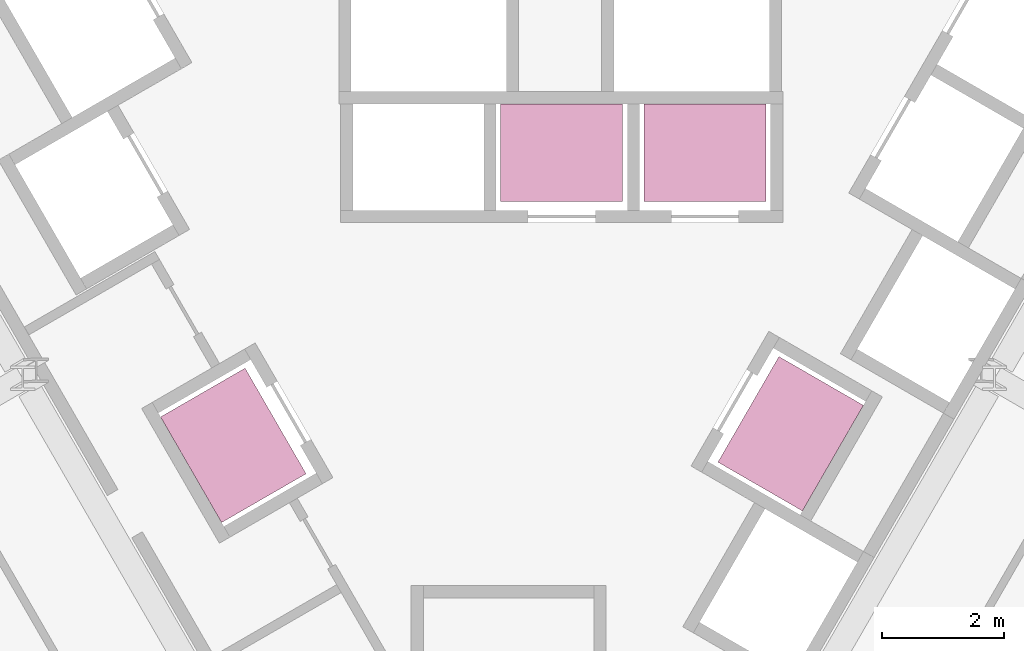
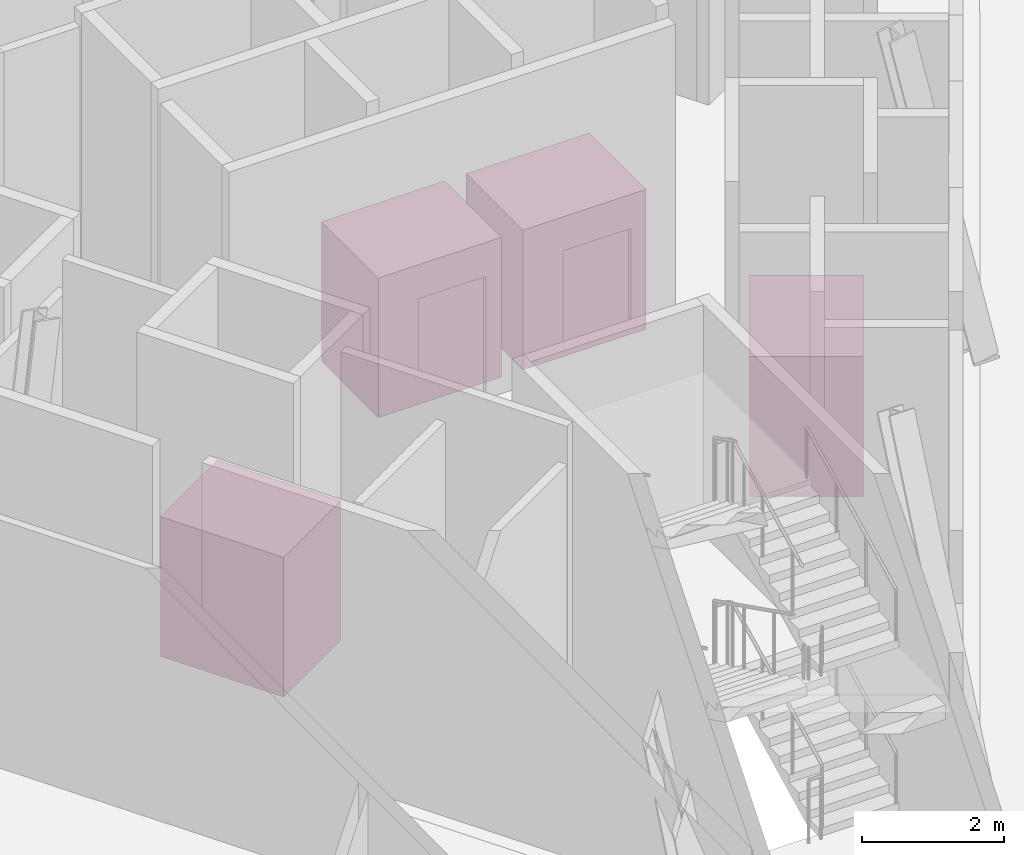
# One storey, part 25 of 25: 4 transport elements.
"""IFC4 building model written with IfcOpenShell, lengths in metres."""

from ifc_helpers import new_model, si_unit, direction, frame, origin, origin_2d, place, context, subcontext, project, spatial, rectangle, extrude, material, type_object, element, save


model = new_model("IFC4")

# Units and contexts
model_context = context("Model", 3, precision=1e-05, world=origin(), true_north=direction((0.0, 1.0)))
body_context = subcontext(model_context, "Body", "Model", "MODEL_VIEW")
ifc_project = project(units=[si_unit("LENGTHUNIT", "METRE"), si_unit("AREAUNIT", "SQUARE_METRE"), si_unit("VOLUMEUNIT", "CUBIC_METRE"), si_unit("PLANEANGLEUNIT", "RADIAN"), si_unit("MASSUNIT", "GRAM", prefix="KILO")], contexts=[model_context])

# Site, building, storey
site_placement = place(None, origin())
site = spatial("IfcSite", under=ifc_project, at=site_placement, CompositionType="ELEMENT")
building_placement = place(site_placement, origin())
building = spatial("IfcBuilding", under=site, at=building_placement, Name="Verrane Prism Tower", CompositionType="ELEMENT")
storey_placement = place(building_placement, frame((0.0, 0.0, 143.199951171875)))
storey = spatial("IfcBuildingStorey", under=building, at=storey_placement, Name="L35", CompositionType="ELEMENT", Elevation=143.199951171875)

# Transport elements
ifc_material = material(Name="Stainless steel lift car", Category="steel")
transport_element_type = type_object("IfcTransportElementType", Name="Lift car 2000x1600", PredefinedType="ELEVATOR", material=ifc_material)
for number, where, z_axis, x_axis, name in (
    (1, (0.8701171875, -0.89990234375, 0.0), (0.0, 0.0, 1.0), (-1.0, 0.0, 0.0), "Bank B lift 1 car"),
    (2, (3.219970703125, -0.89990234375, 0.0), (0.0, 0.0, 1.0), (-1.0, 0.0, 0.0), "Bank B lift 2 car"),
    (3, (4.624267578125, -5.510498046875, 0.0), (0.0, 0.0, 1.0), (0.5, 0.866025403784, 0.0), "Bank B lift 3 car"),
    (4, (-4.514404296875, -5.700927734375, 0.0), (0.0, 0.0, 1.0), (0.5, -0.866025403784, 0.0), "Bank B lift 4 car"),
):
    element("IfcTransportElement", number, at=place(storey_placement, frame(where, z_axis=z_axis, x_axis=x_axis)), inside=storey, type_object=transport_element_type, Name=name, PredefinedType="ELEVATOR", context=body_context, shape_type="SweptSolid", body=[
        extrude(rectangle(XDim=2.0, YDim=1.60009765625, at=origin_2d()), origin(), (0.0, 0.0, 1.0), 2.39990234375),
    ])

save(model, "model.ifc")
